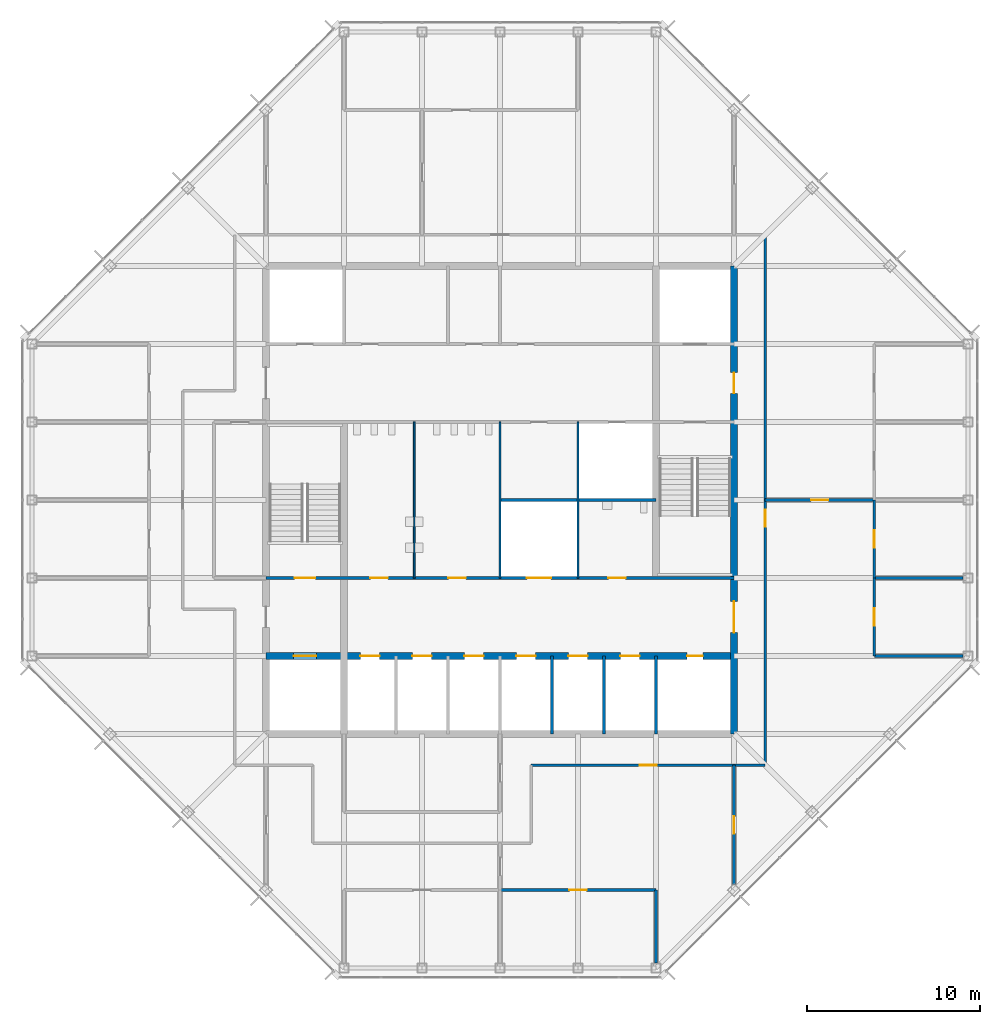
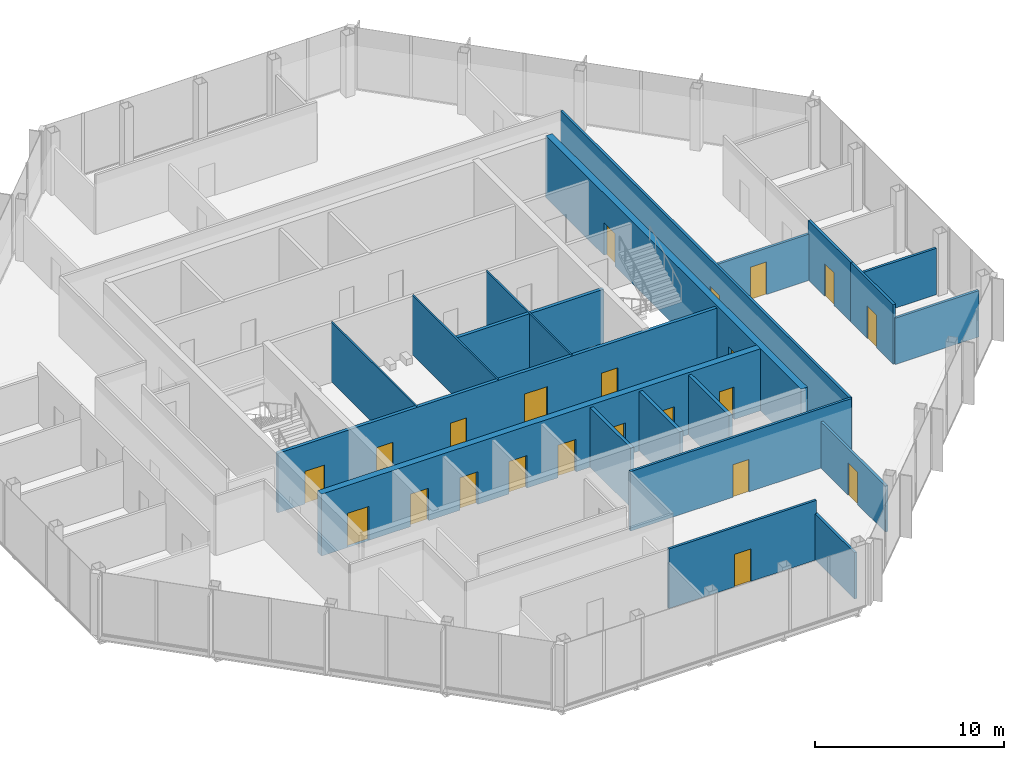
# One storey, part 10 of 14: 22 doors, 20 walls, 22 openings.
"""IFC4 building model written with IfcOpenShell, lengths in metres."""

from ifc_helpers import new_model, si_unit, direction, frame, frame_2d, origin, place, context, subcontext, project, spatial, rectangle, extrude, material, layer, layer_set, type_object, element, fill, save


model = new_model("IFC4")

# Units and contexts
model_context = context("Model", 3, precision=1e-05, world=origin(), true_north=direction((0.0, 1.0)))
body_context = subcontext(model_context, "Body", "Model", "MODEL_VIEW")
ifc_project = project(units=[si_unit("LENGTHUNIT", "METRE"), si_unit("AREAUNIT", "SQUARE_METRE"), si_unit("VOLUMEUNIT", "CUBIC_METRE"), si_unit("PLANEANGLEUNIT", "RADIAN"), si_unit("MASSUNIT", "GRAM", prefix="KILO")], contexts=[model_context])

# Site, building, storey
site_placement = place(None, origin())
site = spatial("IfcSite", under=ifc_project, at=site_placement, CompositionType="ELEMENT")
building_placement = place(site_placement, origin())
building = spatial("IfcBuilding", under=site, at=building_placement, Name="Corais Broadcast Tower", CompositionType="ELEMENT")
storey_placement = place(building_placement, frame((0.0, 0.0, 294.60009765625)))
storey = spatial("IfcBuildingStorey", under=building, at=storey_placement, Name="L69", CompositionType="ELEMENT", Elevation=294.60009765625)

# Wall
ifc_material_1 = material(Name="Concrete blockwork class A, grouted, two-hour", Category="masonry")
ifc_layer_1 = layer(ifc_material_1, 0.199951171875)
ifc_layer_set_1 = layer_set([ifc_layer_1], Name="Concrete blockwork class A, grouted, two-hour")
wall_type_1 = type_object("IfcWallType", Name="Core lobby wall 200", PredefinedType="SOLIDWALL", material=ifc_layer_set_1)
wall_1_placement = place(storey_placement, frame((36.0, 13.5, 0.0), z_axis=(0.0, 0.0, 1.0), x_axis=(0.0, 1.0, 0.0)))
element("IfcWall", 1, at=wall_1_placement, inside=storey, type_object=wall_type_1, Name="CL3 core shaft wall X36A L69", PredefinedType="SOLIDWALL", context=body_context, shape_type="SweptSolid", body=[
    extrude(rectangle(XDim=4.5, YDim=0.199951171875, at=frame_2d((2.25, 0.0))), origin(), (0.0, 0.0, 1.0), 3.83984375),
])

# Wall, openings, doors
wall_2_placement = place(storey_placement, frame((13.5, 22.5, 0.0), z_axis=(0.0, 0.0, 1.0), x_axis=(1.0, 0.0, 0.0)))
wall_2 = element("IfcWall", 2, at=wall_2_placement, inside=storey, type_object=wall_type_1, Name="CL3 core lobby wall Y225 L69", PredefinedType="SOLIDWALL", context=body_context, shape_type="SweptSolid", body=[
    extrude(rectangle(XDim=27.0, YDim=0.199951171875, at=frame_2d((13.5, 0.0))), origin(), (0.0, 0.0, 1.0), 3.83984375),
])
opening_1_placement = place(wall_2_placement, frame((1.64990234375, 0.0, 0.0)))
opening_1 = element("IfcOpeningElement", 3, at=opening_1_placement, cuts=wall_2, Name="Opening FD1", PredefinedType="OPENING", context=body_context, shape_type="SweptSolid", body=[
    extrude(rectangle(XDim=1.199951171875, YDim=2.10009765625, at=frame_2d((0.60009765625, 1.050048828125))), frame((0.0, 0.10986328125, 0.0), z_axis=(0.0, -1.0, 0.0), x_axis=(1.0, 0.0, 0.0)), (0.0, 0.0, 1.0), 0.219970703125),
])
opening_2_placement = place(wall_2_placement, frame((6.02490234375, 0.0, 0.0)))
opening_2 = element("IfcOpeningElement", 4, at=opening_2_placement, cuts=wall_2, Name="Opening WD1", PredefinedType="OPENING", context=body_context, shape_type="SweptSolid", body=[
    extrude(rectangle(XDim=1.0, YDim=2.10009765625, at=frame_2d((0.5, 1.050048828125))), frame((0.0, 0.10986328125, 0.0), z_axis=(0.0, -1.0, 0.0), x_axis=(1.0, 0.0, 0.0)), (0.0, 0.0, 1.0), 0.219970703125),
])
opening_3_placement = place(wall_2_placement, frame((10.52490234375, 0.0, 0.0)))
opening_3 = element("IfcOpeningElement", 5, at=opening_3_placement, cuts=wall_2, Name="Opening WD1", PredefinedType="OPENING", context=body_context, shape_type="SweptSolid", body=[
    extrude(rectangle(XDim=1.0, YDim=2.10009765625, at=frame_2d((0.5, 1.050048828125))), frame((0.0, 0.10986328125, 0.0), z_axis=(0.0, -1.0, 0.0), x_axis=(1.0, 0.0, 0.0)), (0.0, 0.0, 1.0), 0.219970703125),
])
opening_4_placement = place(wall_2_placement, frame((19.75, 0.0, 0.0)))
opening_4 = element("IfcOpeningElement", 6, at=opening_4_placement, cuts=wall_2, Name="Opening WD1", PredefinedType="OPENING", context=body_context, shape_type="SweptSolid", body=[
    extrude(rectangle(XDim=1.0, YDim=2.10009765625, at=frame_2d((0.5, 1.050048828125))), frame((0.0, 0.10986328125, 0.0), z_axis=(0.0, -1.0, 0.0), x_axis=(1.0, 0.0, 0.0)), (0.0, 0.0, 1.0), 0.219970703125),
])
opening_5_placement = place(wall_2_placement, frame((15.050048828125, 0.0, 0.0)))
opening_5 = element("IfcOpeningElement", 7, at=opening_5_placement, cuts=wall_2, Name="Opening LD3", PredefinedType="OPENING", context=body_context, shape_type="SweptSolid", body=[
    extrude(rectangle(XDim=1.39990234375, YDim=2.39990234375, at=frame_2d((0.699951171875, 1.199951171875))), frame((0.0, 0.10986328125, 0.0), z_axis=(0.0, -1.0, 0.0), x_axis=(1.0, 0.0, 0.0)), (0.0, 0.0, 1.0), 0.219970703125),
])
ifc_material_2 = material(Name="Steel fire door", Category="steel")
door_type_1 = type_object("IfcDoorType", Name="Fire door 1200x2100", OperationType="SINGLE_SWING_LEFT", PredefinedType="DOOR", material=ifc_material_2)
door_1_placement = place(opening_1_placement, origin())
door_1 = element("IfcDoor", 8, at=door_1_placement, inside=storey, type_object=door_type_1, Name="FD1 stair A door L69", OperationType="SINGLE_SWING_LEFT", OverallHeight=2.10009765625, OverallWidth=1.199951171875, PredefinedType="DOOR", context=body_context, shape_type="SweptSolid", body=[
    extrude(rectangle(XDim=1.199951171875, YDim=2.10009765625, at=frame_2d((0.60009765625, 1.050048828125))), frame((0.0, 0.02490234375, 0.0), z_axis=(0.0, -1.0, 0.0), x_axis=(1.0, 0.0, 0.0)), (0.0, 0.0, 1.0), 0.050048828125),
])
fill(opening_1, door_1)
ifc_material_3 = material(Name="Stainless steel lift door", Category="steel")
door_type_2 = type_object("IfcDoorType", Name="Service lift landing door 1400x2400", OperationType="SLIDING_TO_LEFT", PredefinedType="DOOR", material=ifc_material_3)
door_2_placement = place(opening_5_placement, origin())
door_2 = element("IfcDoor", 9, at=door_2_placement, inside=storey, type_object=door_type_2, Name="LD3 SL1 landing door L69", OperationType="SLIDING_TO_LEFT", OverallHeight=2.39990234375, OverallWidth=1.39990234375, PredefinedType="DOOR", context=body_context, shape_type="SweptSolid", body=[
    extrude(rectangle(XDim=1.39990234375, YDim=2.39990234375, at=frame_2d((0.699951171875, 1.199951171875))), frame((0.0, 0.02490234375, 0.0), z_axis=(0.0, -1.0, 0.0), x_axis=(1.0, 0.0, 0.0)), (0.0, 0.0, 1.0), 0.050048828125),
])
fill(opening_5, door_2)
ifc_material_4 = material(Name="Timber door", Category="wood")
door_type_3 = type_object("IfcDoorType", Name="Toilet door 1000x2100", OperationType="SINGLE_SWING_LEFT", PredefinedType="DOOR", material=ifc_material_4)
door_3_placement = place(opening_2_placement, origin())
door_3 = element("IfcDoor", 10, at=door_3_placement, inside=storey, type_object=door_type_3, Name="WD1 WC male door L69", OperationType="SINGLE_SWING_LEFT", OverallHeight=2.10009765625, OverallWidth=1.0, PredefinedType="DOOR", context=body_context, shape_type="SweptSolid", body=[
    extrude(rectangle(XDim=1.0, YDim=2.10009765625, at=frame_2d((0.5, 1.050048828125))), frame((0.0, 0.02490234375, 0.0), z_axis=(0.0, -1.0, 0.0), x_axis=(1.0, 0.0, 0.0)), (0.0, 0.0, 1.0), 0.050048828125),
])
fill(opening_2, door_3)
door_4_placement = place(opening_3_placement, origin())
door_4 = element("IfcDoor", 11, at=door_4_placement, inside=storey, type_object=door_type_3, Name="WD1 WC female door L69", OperationType="SINGLE_SWING_LEFT", OverallHeight=2.10009765625, OverallWidth=1.0, PredefinedType="DOOR", context=body_context, shape_type="SweptSolid", body=[
    extrude(rectangle(XDim=1.0, YDim=2.10009765625, at=frame_2d((0.5, 1.050048828125))), frame((0.0, 0.02490234375, 0.0), z_axis=(0.0, -1.0, 0.0), x_axis=(1.0, 0.0, 0.0)), (0.0, 0.0, 1.0), 0.050048828125),
])
fill(opening_3, door_4)
door_5_placement = place(opening_4_placement, origin())
door_5 = element("IfcDoor", 12, at=door_5_placement, inside=storey, type_object=door_type_3, Name="WD1 accessible WC door L69", OperationType="SINGLE_SWING_RIGHT", OverallHeight=2.10009765625, OverallWidth=1.0, PredefinedType="DOOR", context=body_context, shape_type="SweptSolid", body=[
    extrude(rectangle(XDim=1.0, YDim=2.10009765625, at=frame_2d((0.5, 1.050048828125))), frame((0.0, 0.02490234375, 0.0), z_axis=(0.0, -1.0, 0.0), x_axis=(1.0, 0.0, 0.0)), (0.0, 0.0, 1.0), 0.050048828125),
])
fill(opening_4, door_5)

ifc_material_5 = material(Name="Concrete C50/60", Category="concrete")
ifc_layer_2 = layer(ifc_material_5, 0.39990234375)
ifc_layer_set_2 = layer_set([ifc_layer_2], Name="Concrete C50/60")
wall_type_2 = type_object("IfcWallType", Name="Core wall 400", PredefinedType="SHEAR", material=ifc_layer_set_2)
wall_3_placement = place(storey_placement, frame((40.5, 13.5, 0.0), z_axis=(0.0, 0.0, 1.0), x_axis=(0.0, 1.0, 0.0)))
wall_3 = element("IfcWall", 13, at=wall_3_placement, inside=storey, type_object=wall_type_2, Name="CR400 core wall E L69", PredefinedType="SHEAR", context=body_context, shape_type="SweptSolid", body=[
    extrude(rectangle(XDim=27.0, YDim=0.39990234375, at=frame_2d((13.5, 0.0))), origin(), (0.0, 0.0, 1.0), 4.0),
])
opening_6_placement = place(wall_3_placement, frame((5.85009765625, 0.0, 0.0)))
opening_6 = element("IfcOpeningElement", 14, at=opening_6_placement, cuts=wall_3, Name="Opening FD2", PredefinedType="OPENING", context=body_context, shape_type="SweptSolid", body=[
    extrude(rectangle(XDim=1.800048828125, YDim=2.10009765625, at=frame_2d((0.89990234375, 1.050048828125))), frame((0.0, 0.2099609375, 0.0), z_axis=(0.0, -1.0, 0.0), x_axis=(1.0, 0.0, 0.0)), (0.0, 0.0, 1.0), 0.419921875),
])
opening_7_placement = place(wall_3_placement, frame((19.64990234375, 0.0, 0.0)))
opening_7 = element("IfcOpeningElement", 15, at=opening_7_placement, cuts=wall_3, Name="Opening FD1", PredefinedType="OPENING", context=body_context, shape_type="SweptSolid", body=[
    extrude(rectangle(XDim=1.199951171875, YDim=2.10009765625, at=frame_2d((0.60009765625, 1.050048828125))), frame((0.0, 0.2099609375, 0.0), z_axis=(0.0, -1.0, 0.0), x_axis=(1.0, 0.0, 0.0)), (0.0, 0.0, 1.0), 0.419921875),
])
door_6_placement = place(opening_7_placement, origin())
door_6 = element("IfcDoor", 16, at=door_6_placement, inside=storey, type_object=door_type_1, Name="FD1 fire lobby B door L69", OperationType="SINGLE_SWING_RIGHT", OverallHeight=2.10009765625, OverallWidth=1.199951171875, PredefinedType="DOOR", context=body_context, shape_type="SweptSolid", body=[
    extrude(rectangle(XDim=1.199951171875, YDim=2.10009765625, at=frame_2d((0.60009765625, 1.050048828125))), frame((0.0, 0.02490234375, 0.0), z_axis=(0.0, -1.0, 0.0), x_axis=(1.0, 0.0, 0.0)), (0.0, 0.0, 1.0), 0.050048828125),
])
fill(opening_7, door_6)
ifc_material_6 = material(Name="Steel fire door", Category="steel")
door_type_4 = type_object("IfcDoorType", Name="Fire door pair 1800x2100", OperationType="DOUBLE_DOOR_SINGLE_SWING", PredefinedType="DOOR", material=ifc_material_6)
door_7_placement = place(opening_6_placement, origin())
door_7 = element("IfcDoor", 17, at=door_7_placement, inside=storey, type_object=door_type_4, Name="FD2 lift lobby door L69", OperationType="SINGLE_SWING_LEFT", OverallHeight=2.10009765625, OverallWidth=1.800048828125, PredefinedType="DOOR", context=body_context, shape_type="SweptSolid", body=[
    extrude(rectangle(XDim=1.800048828125, YDim=2.10009765625, at=frame_2d((0.89990234375, 1.050048828125))), frame((0.0, 0.02490234375, 0.0), z_axis=(0.0, -1.0, 0.0), x_axis=(1.0, 0.0, 0.0)), (0.0, 0.0, 1.0), 0.050048828125),
])
fill(opening_6, door_7)

wall_4_placement = place(storey_placement, frame((13.5, 18.0, 0.0), z_axis=(0.0, 0.0, 1.0), x_axis=(1.0, 0.0, 0.0)))
wall_4 = element("IfcWall", 18, at=wall_4_placement, inside=storey, type_object=wall_type_2, Name="CR400 core wall Y18 L69", PredefinedType="SHEAR", context=body_context, shape_type="SweptSolid", body=[
    extrude(rectangle(XDim=27.0, YDim=0.39990234375, at=frame_2d((13.5, 0.0))), origin(), (0.0, 0.0, 1.0), 4.0),
])
opening_8_placement = place(wall_4_placement, frame((24.300048828125, 0.0, 0.0)))
opening_8 = element("IfcOpeningElement", 19, at=opening_8_placement, cuts=wall_4, Name="Opening RD1", PredefinedType="OPENING", context=body_context, shape_type="SweptSolid", body=[
    extrude(rectangle(XDim=0.89990234375, YDim=2.10009765625, at=frame_2d((0.449951171875, 1.050048828125))), frame((0.0, 0.2099609375, 0.0), z_axis=(0.0, -1.0, 0.0), x_axis=(1.0, 0.0, 0.0)), (0.0, 0.0, 1.0), 0.419921875),
])
opening_9_placement = place(wall_4_placement, frame((5.449951171875, 0.0, 0.0)))
opening_9 = element("IfcOpeningElement", 20, at=opening_9_placement, cuts=wall_4, Name="Opening LD1", PredefinedType="OPENING", context=body_context, shape_type="SweptSolid", body=[
    extrude(rectangle(XDim=1.10009765625, YDim=2.10009765625, at=frame_2d((0.550048828125, 1.050048828125))), frame((0.0, 0.2099609375, 0.0), z_axis=(0.0, -1.0, 0.0), x_axis=(1.0, 0.0, 0.0)), (0.0, 0.0, 1.0), 0.419921875),
])
opening_10_placement = place(wall_4_placement, frame((8.449951171875, 0.0, 0.0)))
opening_10 = element("IfcOpeningElement", 21, at=opening_10_placement, cuts=wall_4, Name="Opening LD1", PredefinedType="OPENING", context=body_context, shape_type="SweptSolid", body=[
    extrude(rectangle(XDim=1.10009765625, YDim=2.10009765625, at=frame_2d((0.550048828125, 1.050048828125))), frame((0.0, 0.2099609375, 0.0), z_axis=(0.0, -1.0, 0.0), x_axis=(1.0, 0.0, 0.0)), (0.0, 0.0, 1.0), 0.419921875),
])
opening_11_placement = place(wall_4_placement, frame((11.449951171875, 0.0, 0.0)))
opening_11 = element("IfcOpeningElement", 22, at=opening_11_placement, cuts=wall_4, Name="Opening LD1", PredefinedType="OPENING", context=body_context, shape_type="SweptSolid", body=[
    extrude(rectangle(XDim=1.10009765625, YDim=2.10009765625, at=frame_2d((0.550048828125, 1.050048828125))), frame((0.0, 0.2099609375, 0.0), z_axis=(0.0, -1.0, 0.0), x_axis=(1.0, 0.0, 0.0)), (0.0, 0.0, 1.0), 0.419921875),
])
opening_12_placement = place(wall_4_placement, frame((14.449951171875, 0.0, 0.0)))
opening_12 = element("IfcOpeningElement", 23, at=opening_12_placement, cuts=wall_4, Name="Opening LD1", PredefinedType="OPENING", context=body_context, shape_type="SweptSolid", body=[
    extrude(rectangle(XDim=1.10009765625, YDim=2.10009765625, at=frame_2d((0.550048828125, 1.050048828125))), frame((0.0, 0.2099609375, 0.0), z_axis=(0.0, -1.0, 0.0), x_axis=(1.0, 0.0, 0.0)), (0.0, 0.0, 1.0), 0.419921875),
])
opening_13_placement = place(wall_4_placement, frame((17.449951171875, 0.0, 0.0)))
opening_13 = element("IfcOpeningElement", 24, at=opening_13_placement, cuts=wall_4, Name="Opening LD1", PredefinedType="OPENING", context=body_context, shape_type="SweptSolid", body=[
    extrude(rectangle(XDim=1.10009765625, YDim=2.10009765625, at=frame_2d((0.550048828125, 1.050048828125))), frame((0.0, 0.2099609375, 0.0), z_axis=(0.0, -1.0, 0.0), x_axis=(1.0, 0.0, 0.0)), (0.0, 0.0, 1.0), 0.419921875),
])
opening_14_placement = place(wall_4_placement, frame((20.449951171875, 0.0, 0.0)))
opening_14 = element("IfcOpeningElement", 25, at=opening_14_placement, cuts=wall_4, Name="Opening LD1", PredefinedType="OPENING", context=body_context, shape_type="SweptSolid", body=[
    extrude(rectangle(XDim=1.10009765625, YDim=2.10009765625, at=frame_2d((0.550048828125, 1.050048828125))), frame((0.0, 0.2099609375, 0.0), z_axis=(0.0, -1.0, 0.0), x_axis=(1.0, 0.0, 0.0)), (0.0, 0.0, 1.0), 0.419921875),
])
opening_15_placement = place(wall_4_placement, frame((1.60009765625, 0.0, 0.0)))
opening_15 = element("IfcOpeningElement", 26, at=opening_15_placement, cuts=wall_4, Name="Opening LD2", PredefinedType="OPENING", context=body_context, shape_type="SweptSolid", body=[
    extrude(rectangle(XDim=1.300048828125, YDim=2.199951171875, at=frame_2d((0.64990234375, 1.10009765625))), frame((0.0, 0.2099609375, 0.0), z_axis=(0.0, -1.0, 0.0), x_axis=(1.0, 0.0, 0.0)), (0.0, 0.0, 1.0), 0.419921875),
])
ifc_material_7 = material(Name="Stainless steel lift door", Category="steel")
door_type_5 = type_object("IfcDoorType", Name="Lift landing door 1100x2100", OperationType="SLIDING_TO_LEFT", PredefinedType="DOOR", material=ifc_material_7)
door_8_placement = place(opening_9_placement, origin())
door_8 = element("IfcDoor", 27, at=door_8_placement, inside=storey, type_object=door_type_5, Name="LD1 PH1 landing door L69", OperationType="SLIDING_TO_LEFT", OverallHeight=2.10009765625, OverallWidth=1.10009765625, PredefinedType="DOOR", context=body_context, shape_type="SweptSolid", body=[
    extrude(rectangle(XDim=1.10009765625, YDim=2.10009765625, at=frame_2d((0.550048828125, 1.050048828125))), frame((0.0, 0.02490234375, 0.0), z_axis=(0.0, -1.0, 0.0), x_axis=(1.0, 0.0, 0.0)), (0.0, 0.0, 1.0), 0.050048828125),
])
fill(opening_9, door_8)
door_9_placement = place(opening_10_placement, origin())
door_9 = element("IfcDoor", 28, at=door_9_placement, inside=storey, type_object=door_type_5, Name="LD1 PH2 landing door L69", OperationType="SLIDING_TO_LEFT", OverallHeight=2.10009765625, OverallWidth=1.10009765625, PredefinedType="DOOR", context=body_context, shape_type="SweptSolid", body=[
    extrude(rectangle(XDim=1.10009765625, YDim=2.10009765625, at=frame_2d((0.550048828125, 1.050048828125))), frame((0.0, 0.02490234375, 0.0), z_axis=(0.0, -1.0, 0.0), x_axis=(1.0, 0.0, 0.0)), (0.0, 0.0, 1.0), 0.050048828125),
])
fill(opening_10, door_9)
door_10_placement = place(opening_11_placement, origin())
door_10 = element("IfcDoor", 29, at=door_10_placement, inside=storey, type_object=door_type_5, Name="LD1 PH3 landing door L69", OperationType="SLIDING_TO_LEFT", OverallHeight=2.10009765625, OverallWidth=1.10009765625, PredefinedType="DOOR", context=body_context, shape_type="SweptSolid", body=[
    extrude(rectangle(XDim=1.10009765625, YDim=2.10009765625, at=frame_2d((0.550048828125, 1.050048828125))), frame((0.0, 0.02490234375, 0.0), z_axis=(0.0, -1.0, 0.0), x_axis=(1.0, 0.0, 0.0)), (0.0, 0.0, 1.0), 0.050048828125),
])
fill(opening_11, door_10)
door_11_placement = place(opening_12_placement, origin())
door_11 = element("IfcDoor", 30, at=door_11_placement, inside=storey, type_object=door_type_5, Name="LD1 PH4 landing door L69", OperationType="SLIDING_TO_LEFT", OverallHeight=2.10009765625, OverallWidth=1.10009765625, PredefinedType="DOOR", context=body_context, shape_type="SweptSolid", body=[
    extrude(rectangle(XDim=1.10009765625, YDim=2.10009765625, at=frame_2d((0.550048828125, 1.050048828125))), frame((0.0, 0.02490234375, 0.0), z_axis=(0.0, -1.0, 0.0), x_axis=(1.0, 0.0, 0.0)), (0.0, 0.0, 1.0), 0.050048828125),
])
fill(opening_12, door_11)
door_12_placement = place(opening_13_placement, origin())
door_12 = element("IfcDoor", 31, at=door_12_placement, inside=storey, type_object=door_type_5, Name="LD1 PH5 landing door L69", OperationType="SLIDING_TO_LEFT", OverallHeight=2.10009765625, OverallWidth=1.10009765625, PredefinedType="DOOR", context=body_context, shape_type="SweptSolid", body=[
    extrude(rectangle(XDim=1.10009765625, YDim=2.10009765625, at=frame_2d((0.550048828125, 1.050048828125))), frame((0.0, 0.02490234375, 0.0), z_axis=(0.0, -1.0, 0.0), x_axis=(1.0, 0.0, 0.0)), (0.0, 0.0, 1.0), 0.050048828125),
])
fill(opening_13, door_12)
door_13_placement = place(opening_14_placement, origin())
door_13 = element("IfcDoor", 32, at=door_13_placement, inside=storey, type_object=door_type_5, Name="LD1 PH6 landing door L69", OperationType="SLIDING_TO_LEFT", OverallHeight=2.10009765625, OverallWidth=1.10009765625, PredefinedType="DOOR", context=body_context, shape_type="SweptSolid", body=[
    extrude(rectangle(XDim=1.10009765625, YDim=2.10009765625, at=frame_2d((0.550048828125, 1.050048828125))), frame((0.0, 0.02490234375, 0.0), z_axis=(0.0, -1.0, 0.0), x_axis=(1.0, 0.0, 0.0)), (0.0, 0.0, 1.0), 0.050048828125),
])
fill(opening_14, door_13)
ifc_material_8 = material(Name="Stainless steel lift door", Category="steel")
door_type_6 = type_object("IfcDoorType", Name="Lift landing door 1300x2200", OperationType="SLIDING_TO_LEFT", PredefinedType="DOOR", material=ifc_material_8)
door_14_placement = place(opening_15_placement, origin())
door_14 = element("IfcDoor", 33, at=door_14_placement, inside=storey, type_object=door_type_6, Name="LD2 FL1 landing door L69", OperationType="SLIDING_TO_LEFT", OverallHeight=2.199951171875, OverallWidth=1.300048828125, PredefinedType="DOOR", context=body_context, shape_type="SweptSolid", body=[
    extrude(rectangle(XDim=1.300048828125, YDim=2.199951171875, at=frame_2d((0.64990234375, 1.10009765625))), frame((0.0, 0.02490234375, 0.0), z_axis=(0.0, -1.0, 0.0), x_axis=(1.0, 0.0, 0.0)), (0.0, 0.0, 1.0), 0.050048828125),
])
fill(opening_15, door_14)
ifc_material_9 = material(Name="Steel fire door", Category="steel")
door_type_7 = type_object("IfcDoorType", Name="Riser door 900x2100", OperationType="SINGLE_SWING_LEFT", PredefinedType="DOOR", material=ifc_material_9)
door_15_placement = place(opening_8_placement, origin())
door_15 = element("IfcDoor", 34, at=door_15_placement, inside=storey, type_object=door_type_7, Name="RD1 riser door L69", OperationType="SINGLE_SWING_RIGHT", OverallHeight=2.10009765625, OverallWidth=0.89990234375, PredefinedType="DOOR", context=body_context, shape_type="SweptSolid", body=[
    extrude(rectangle(XDim=0.89990234375, YDim=2.10009765625, at=frame_2d((0.449951171875, 1.050048828125))), frame((0.0, 0.02490234375, 0.0), z_axis=(0.0, -1.0, 0.0), x_axis=(1.0, 0.0, 0.0)), (0.0, 0.0, 1.0), 0.050048828125),
])
fill(opening_8, door_15)

# Wall, opening, door
ifc_material_10 = material(Name="Gypsum board on steel studs", Category="steel")
ifc_layer_3 = layer(ifc_material_10, 0.14990234375)
ifc_layer_set_3 = layer_set([ifc_layer_3], Name="Gypsum board on steel studs")
wall_type_3 = type_object("IfcWallType", Name="Partition 150", PredefinedType="PARTITIONING", material=ifc_layer_set_3)
wall_5_placement = place(storey_placement, frame((42.300048828125, 11.699951171875, 0.0), z_axis=(0.0, 0.0, 1.0), x_axis=(0.0, 1.0, 0.0)))
wall_5 = element("IfcWall", 35, at=wall_5_placement, inside=storey, type_object=wall_type_3, Name="IW3 corridor wall L69", PredefinedType="PARTITIONING", context=body_context, shape_type="SweptSolid", body=[
    extrude(rectangle(XDim=30.60009765625, YDim=0.14990234375, at=frame_2d((15.300048828125, 0.0))), origin(), (0.0, 0.0, 1.0), 3.83984375),
])
opening_16_placement = place(wall_5_placement, frame((13.75, 0.0, 0.0)))
opening_16 = element("IfcOpeningElement", 36, at=opening_16_placement, cuts=wall_5, Name="Opening D1", PredefinedType="OPENING", context=body_context, shape_type="SweptSolid", body=[
    extrude(rectangle(XDim=1.0, YDim=2.10009765625, at=frame_2d((0.5, 1.050048828125))), frame((0.0, 0.0849609375, 0.0), z_axis=(0.0, -1.0, 0.0), x_axis=(1.0, 0.0, 0.0)), (0.0, 0.0, 1.0), 0.169921875),
])
ifc_material_11 = material(Name="Timber door", Category="wood")
door_type_8 = type_object("IfcDoorType", Name="Single door 1000x2100", OperationType="SINGLE_SWING_LEFT", PredefinedType="DOOR", material=ifc_material_11)
door_16_placement = place(opening_16_placement, origin())
door_16 = element("IfcDoor", 37, at=door_16_placement, inside=storey, type_object=door_type_8, Name="D1 workplace door L69", OperationType="SINGLE_SWING_LEFT", OverallHeight=2.10009765625, OverallWidth=1.0, PredefinedType="DOOR", context=body_context, shape_type="SweptSolid", body=[
    extrude(rectangle(XDim=1.0, YDim=2.10009765625, at=frame_2d((0.5, 1.050048828125))), frame((0.0, 0.02490234375, 0.0), z_axis=(0.0, -1.0, 0.0), x_axis=(1.0, 0.0, 0.0)), (0.0, 0.0, 1.0), 0.050048828125),
])
fill(opening_16, door_16)

wall_6_placement = place(storey_placement, frame((28.800048828125, 11.699951171875, 0.0), z_axis=(0.0, 0.0, 1.0), x_axis=(1.0, 0.0, 0.0)))
wall_6 = element("IfcWall", 38, at=wall_6_placement, inside=storey, type_object=wall_type_3, Name="IW3 corridor wall L69", PredefinedType="PARTITIONING", context=body_context, shape_type="SweptSolid", body=[
    extrude(rectangle(XDim=13.5, YDim=0.14990234375, at=frame_2d((6.75, 0.0))), origin(), (0.0, 0.0, 1.0), 3.83984375),
])
opening_17_placement = place(wall_6_placement, frame((6.25, 0.0, 0.0)))
opening_17 = element("IfcOpeningElement", 39, at=opening_17_placement, cuts=wall_6, Name="Opening D1", PredefinedType="OPENING", context=body_context, shape_type="SweptSolid", body=[
    extrude(rectangle(XDim=1.0, YDim=2.10009765625, at=frame_2d((0.5, 1.050048828125))), frame((0.0, 0.0849609375, 0.0), z_axis=(0.0, -1.0, 0.0), x_axis=(1.0, 0.0, 0.0)), (0.0, 0.0, 1.0), 0.169921875),
])
door_17_placement = place(opening_17_placement, origin())
door_17 = element("IfcDoor", 40, at=door_17_placement, inside=storey, type_object=door_type_8, Name="D1 workplace door L69", OperationType="SINGLE_SWING_LEFT", OverallHeight=2.10009765625, OverallWidth=1.0, PredefinedType="DOOR", context=body_context, shape_type="SweptSolid", body=[
    extrude(rectangle(XDim=1.0, YDim=2.10009765625, at=frame_2d((0.5, 1.050048828125))), frame((0.0, 0.02490234375, 0.0), z_axis=(0.0, -1.0, 0.0), x_axis=(1.0, 0.0, 0.0)), (0.0, 0.0, 1.0), 0.050048828125),
])
fill(opening_17, door_17)

# Walls
for number, where, z_axis, x_axis, name in (
    (41, (48.60009765625, 18.0, 0.0), (0.0, 0.0, 1.0), (1.0, 0.0, 0.0), "IW3 partition L69"),
    (42, (53.715087890625, 22.5, 0.0), (0.0, 0.0, 1.0), (-1.0, 0.0, 0.0), "IW3 partition L69"),
):
    element("IfcWall", number, at=place(storey_placement, frame(where, z_axis=z_axis, x_axis=x_axis)), inside=storey, type_object=wall_type_3, Name=name, PredefinedType="PARTITIONING", context=body_context, shape_type="SweptSolid", body=[
        extrude(rectangle(XDim=5.114990234375, YDim=0.14990234375, at=frame_2d((2.5576171875, 0.0))), origin(), (0.0, 0.0, 1.0), 2.989013671875),
    ])

# Wall, opening, door
wall_7_placement = place(storey_placement, frame((48.60009765625, 22.5, 0.0), z_axis=(0.0, 0.0, 1.0), x_axis=(0.0, -1.0, 0.0)))
wall_7 = element("IfcWall", 43, at=wall_7_placement, inside=storey, type_object=wall_type_3, Name="IW3 partition L69", PredefinedType="PARTITIONING", context=body_context, shape_type="SweptSolid", body=[
    extrude(rectangle(XDim=4.5, YDim=0.14990234375, at=frame_2d((2.25, 0.0))), origin(), (0.0, 0.0, 1.0), 3.83984375),
])
opening_18_placement = place(wall_7_placement, frame((1.75, 0.0, 0.0)))
opening_18 = element("IfcOpeningElement", 44, at=opening_18_placement, cuts=wall_7, Name="Opening D1", PredefinedType="OPENING", context=body_context, shape_type="SweptSolid", body=[
    extrude(rectangle(XDim=1.0, YDim=2.10009765625, at=frame_2d((0.5, 1.050048828125))), frame((0.0, 0.0849609375, 0.0), z_axis=(0.0, -1.0, 0.0), x_axis=(1.0, 0.0, 0.0)), (0.0, 0.0, 1.0), 0.169921875),
])
door_18_placement = place(opening_18_placement, origin())
door_18 = element("IfcDoor", 45, at=door_18_placement, inside=storey, type_object=door_type_8, Name="D1 Executive office door", OperationType="SINGLE_SWING_LEFT", OverallHeight=2.10009765625, OverallWidth=1.0, PredefinedType="DOOR", context=body_context, shape_type="SweptSolid", body=[
    extrude(rectangle(XDim=1.0, YDim=2.10009765625, at=frame_2d((0.5, 1.050048828125))), frame((0.0, 0.02490234375, 0.0), z_axis=(0.0, -1.0, 0.0), x_axis=(1.0, 0.0, 0.0)), (0.0, 0.0, 1.0), 0.050048828125),
])
fill(opening_18, door_18)

wall_8_placement = place(storey_placement, frame((48.60009765625, 27.0, 0.0), z_axis=(0.0, 0.0, 1.0), x_axis=(0.0, -1.0, 0.0)))
wall_8 = element("IfcWall", 46, at=wall_8_placement, inside=storey, type_object=wall_type_3, Name="IW3 partition L69", PredefinedType="PARTITIONING", context=body_context, shape_type="SweptSolid", body=[
    extrude(rectangle(XDim=4.5, YDim=0.14990234375, at=frame_2d((2.25, 0.0))), origin(), (0.0, 0.0, 1.0), 3.83984375),
])
opening_19_placement = place(wall_8_placement, frame((1.75, 0.0, 0.0)))
opening_19 = element("IfcOpeningElement", 47, at=opening_19_placement, cuts=wall_8, Name="Opening D1", PredefinedType="OPENING", context=body_context, shape_type="SweptSolid", body=[
    extrude(rectangle(XDim=1.0, YDim=2.10009765625, at=frame_2d((0.5, 1.050048828125))), frame((0.0, 0.0849609375, 0.0), z_axis=(0.0, -1.0, 0.0), x_axis=(1.0, 0.0, 0.0)), (0.0, 0.0, 1.0), 0.169921875),
])
door_19_placement = place(opening_19_placement, origin())
door_19 = element("IfcDoor", 48, at=door_19_placement, inside=storey, type_object=door_type_8, Name="D1 Executive office door", OperationType="SINGLE_SWING_LEFT", OverallHeight=2.10009765625, OverallWidth=1.0, PredefinedType="DOOR", context=body_context, shape_type="SweptSolid", body=[
    extrude(rectangle(XDim=1.0, YDim=2.10009765625, at=frame_2d((0.5, 1.050048828125))), frame((0.0, 0.02490234375, 0.0), z_axis=(0.0, -1.0, 0.0), x_axis=(1.0, 0.0, 0.0)), (0.0, 0.0, 1.0), 0.050048828125),
])
fill(opening_19, door_19)

# Wall
wall_9_placement = place(storey_placement, frame((36.0, 0.284912109375, 0.0), z_axis=(0.0, 0.0, 1.0), x_axis=(0.0, 1.0, 0.0)))
element("IfcWall", 49, at=wall_9_placement, inside=storey, type_object=wall_type_3, Name="IW3 partition L69", PredefinedType="PARTITIONING", context=body_context, shape_type="SweptSolid", body=[
    extrude(rectangle(XDim=4.215087890625, YDim=0.14990234375, at=frame_2d((2.107421875, 0.0))), origin(), (0.0, 0.0, 1.0), 2.989013671875),
])

# Wall, opening, door
wall_10_placement = place(storey_placement, frame((36.0, 4.5, 0.0), z_axis=(0.0, 0.0, 1.0), x_axis=(-1.0, 0.0, 0.0)))
wall_10 = element("IfcWall", 50, at=wall_10_placement, inside=storey, type_object=wall_type_3, Name="IW3 partition L69", PredefinedType="PARTITIONING", context=body_context, shape_type="SweptSolid", body=[
    extrude(rectangle(XDim=9.0, YDim=0.14990234375, at=frame_2d((4.5, 0.0))), origin(), (0.0, 0.0, 1.0), 3.83984375),
])
opening_20_placement = place(wall_10_placement, frame((4.0, 0.0, 0.0)))
opening_20 = element("IfcOpeningElement", 51, at=opening_20_placement, cuts=wall_10, Name="Opening D1", PredefinedType="OPENING", context=body_context, shape_type="SweptSolid", body=[
    extrude(rectangle(XDim=1.0, YDim=2.10009765625, at=frame_2d((0.5, 1.050048828125))), frame((0.0, 0.0849609375, 0.0), z_axis=(0.0, -1.0, 0.0), x_axis=(1.0, 0.0, 0.0)), (0.0, 0.0, 1.0), 0.169921875),
])
door_20_placement = place(opening_20_placement, origin())
door_20 = element("IfcDoor", 52, at=door_20_placement, inside=storey, type_object=door_type_8, Name="D1 Assistant office door", OperationType="SINGLE_SWING_LEFT", OverallHeight=2.10009765625, OverallWidth=1.0, PredefinedType="DOOR", context=body_context, shape_type="SweptSolid", body=[
    extrude(rectangle(XDim=1.0, YDim=2.10009765625, at=frame_2d((0.5, 1.050048828125))), frame((0.0, 0.02490234375, 0.0), z_axis=(0.0, -1.0, 0.0), x_axis=(1.0, 0.0, 0.0)), (0.0, 0.0, 1.0), 0.050048828125),
])
fill(opening_20, door_20)

wall_11_placement = place(storey_placement, frame((40.5, 4.794921875, 0.0), z_axis=(0.0, 0.0, 1.0), x_axis=(0.0, 1.0, 0.0)))
wall_11 = element("IfcWall", 53, at=wall_11_placement, inside=storey, type_object=wall_type_3, Name="IW3 partition L69", PredefinedType="PARTITIONING", context=body_context, shape_type="SweptSolid", body=[
    extrude(rectangle(XDim=6.905029296875, YDim=0.14990234375, at=frame_2d((3.45263671875, 0.0))), origin(), (0.0, 0.0, 1.0), 2.989013671875),
])
opening_21_placement = place(wall_11_placement, frame((2.952392578125, 0.0, 0.0)))
opening_21 = element("IfcOpeningElement", 54, at=opening_21_placement, cuts=wall_11, Name="Opening D1", PredefinedType="OPENING", context=body_context, shape_type="SweptSolid", body=[
    extrude(rectangle(XDim=1.0, YDim=2.10009765625, at=frame_2d((0.5, 1.050048828125))), frame((0.0, 0.0849609375, 0.0), z_axis=(0.0, -1.0, 0.0), x_axis=(1.0, 0.0, 0.0)), (0.0, 0.0, 1.0), 0.169921875),
])
door_21_placement = place(opening_21_placement, origin())
door_21 = element("IfcDoor", 55, at=door_21_placement, inside=storey, type_object=door_type_8, Name="D1 team room door L69", OperationType="SINGLE_SWING_LEFT", OverallHeight=2.10009765625, OverallWidth=1.0, PredefinedType="DOOR", context=body_context, shape_type="SweptSolid", body=[
    extrude(rectangle(XDim=1.0, YDim=2.10009765625, at=frame_2d((0.5, 1.050048828125))), frame((0.0, 0.02490234375, 0.0), z_axis=(0.0, -1.0, 0.0), x_axis=(1.0, 0.0, 0.0)), (0.0, 0.0, 1.0), 0.050048828125),
])
fill(opening_21, door_21)

wall_12_placement = place(storey_placement, frame((42.300048828125, 27.0, 0.0), z_axis=(0.0, 0.0, 1.0), x_axis=(1.0, 0.0, 0.0)))
wall_12 = element("IfcWall", 56, at=wall_12_placement, inside=storey, type_object=wall_type_3, Name="IW3 partition L69", PredefinedType="PARTITIONING", context=body_context, shape_type="SweptSolid", body=[
    extrude(rectangle(XDim=6.300048828125, YDim=0.14990234375, at=frame_2d((3.14990234375, 0.0))), origin(), (0.0, 0.0, 1.0), 2.989013671875),
])
opening_22_placement = place(wall_12_placement, frame((2.64990234375, 0.0, 0.0)))
opening_22 = element("IfcOpeningElement", 57, at=opening_22_placement, cuts=wall_12, Name="Opening D1", PredefinedType="OPENING", context=body_context, shape_type="SweptSolid", body=[
    extrude(rectangle(XDim=1.0, YDim=2.10009765625, at=frame_2d((0.5, 1.050048828125))), frame((0.0, 0.0849609375, 0.0), z_axis=(0.0, -1.0, 0.0), x_axis=(1.0, 0.0, 0.0)), (0.0, 0.0, 1.0), 0.169921875),
])
door_22_placement = place(opening_22_placement, origin())
door_22 = element("IfcDoor", 58, at=door_22_placement, inside=storey, type_object=door_type_8, Name="D1 team room door L69", OperationType="SINGLE_SWING_LEFT", OverallHeight=2.10009765625, OverallWidth=1.0, PredefinedType="DOOR", context=body_context, shape_type="SweptSolid", body=[
    extrude(rectangle(XDim=1.0, YDim=2.10009765625, at=frame_2d((0.5, 1.050048828125))), frame((0.0, 0.02490234375, 0.0), z_axis=(0.0, -1.0, 0.0), x_axis=(1.0, 0.0, 0.0)), (0.0, 0.0, 1.0), 0.050048828125),
])
fill(opening_22, door_22)

# Walls
ifc_material_12 = material(Name="Concrete blockwork class A, grouted, two-hour", Category="masonry")
ifc_layer_4 = layer(ifc_material_12, 0.199951171875)
ifc_layer_set_4 = layer_set([ifc_layer_4], Name="Concrete blockwork class A, grouted, two-hour")
wall_type_4 = type_object("IfcWallType", Name="Shaft wall 200", PredefinedType="PARTITIONING", material=ifc_layer_set_4)
for number, where, z_axis, x_axis, name in (
    (59, (30.0, 13.5, 0.0), (0.0, 0.0, 1.0), (0.0, 1.0, 0.0), "IW1 shaft wall L69"),
    (60, (33.0, 13.5, 0.0), (0.0, 0.0, 1.0), (0.0, 1.0, 0.0), "IW1 shaft wall L69"),
):
    element("IfcWall", number, at=place(storey_placement, frame(where, z_axis=z_axis, x_axis=x_axis)), inside=storey, type_object=wall_type_4, Name=name, PredefinedType="PARTITIONING", context=body_context, shape_type="SweptSolid", body=[
        extrude(rectangle(XDim=4.5, YDim=0.199951171875, at=frame_2d((2.25, 0.0))), origin(), (0.0, 0.0, 1.0), 3.83984375),
    ])
wall_13_placement = place(storey_placement, frame((27.0, 27.0, 0.0), z_axis=(0.0, 0.0, 1.0), x_axis=(1.0, 0.0, 0.0)))
element("IfcWall", 61, at=wall_13_placement, inside=storey, type_object=wall_type_4, Name="IW1 shaft wall L69", PredefinedType="PARTITIONING", context=body_context, shape_type="SweptSolid", body=[
    extrude(rectangle(XDim=9.0, YDim=0.199951171875, at=frame_2d((4.5, 0.0))), origin(), (0.0, 0.0, 1.0), 3.83984375),
])
ifc_material_13 = material(Name="Dense concrete blockwork class A, tiled both faces", Category="masonry")
ifc_layer_5 = layer(ifc_material_13, 0.10009765625)
ifc_layer_set_5 = layer_set([ifc_layer_5], Name="Dense concrete blockwork class A, tiled both faces")
wall_type_5 = type_object("IfcWallType", Name="Toilet wall 100", PredefinedType="PLUMBINGWALL", material=ifc_layer_set_5)
for number, where, z_axis, x_axis, name in (
    (62, (22.050048828125, 22.5, 0.0), (0.0, 0.0, 1.0), (0.0, 1.0, 0.0), "IW2 toilet wall L69"),
    (63, (27.0, 22.5, 0.0), (0.0, 0.0, 1.0), (0.0, 1.0, 0.0), "IW2 toilet wall L69"),
    (64, (31.5, 22.5, 0.0), (0.0, 0.0, 1.0), (0.0, 1.0, 0.0), "IW2 toilet wall L69"),
):
    element("IfcWall", number, at=place(storey_placement, frame(where, z_axis=z_axis, x_axis=x_axis)), inside=storey, type_object=wall_type_5, Name=name, PredefinedType="PLUMBINGWALL", context=body_context, shape_type="SweptSolid", body=[
        extrude(rectangle(XDim=9.0, YDim=0.10009765625, at=frame_2d((4.5, 0.0))), origin(), (0.0, 0.0, 1.0), 3.83984375),
    ])

save(model, "model.ifc")
